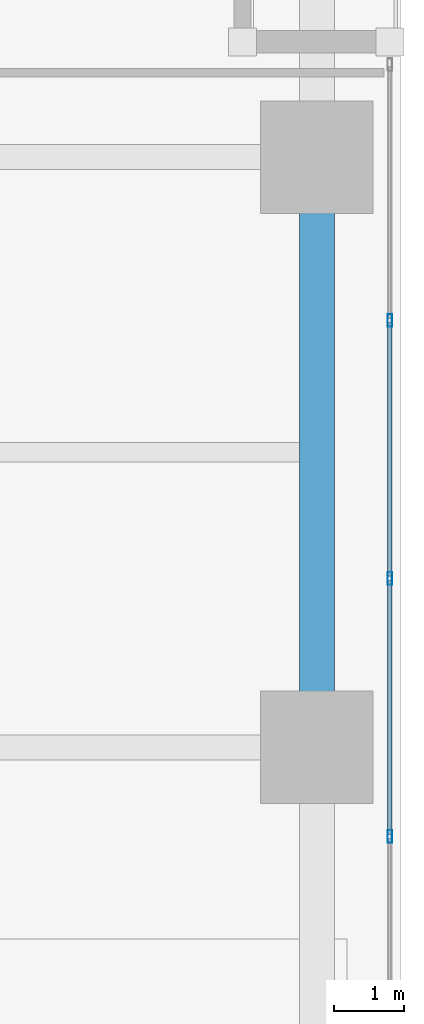
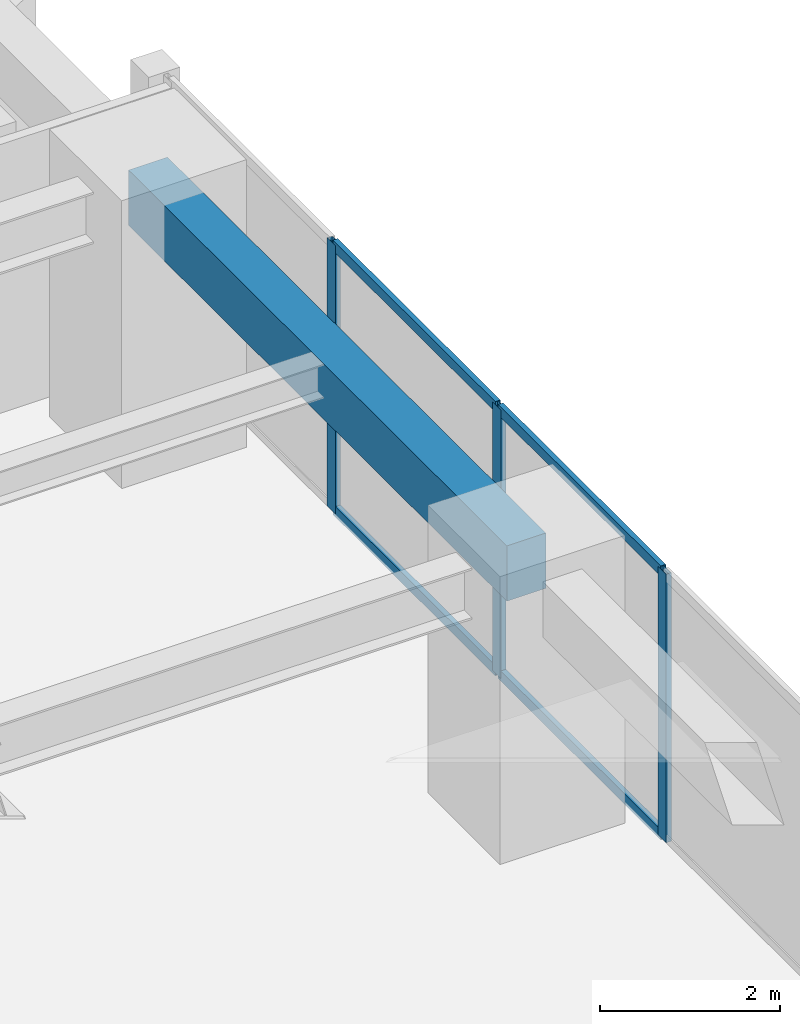
# One storey, part 8 of 28: 7 members, 1 beam, 1 element without a shape of its own.
"""IFC4 building model written with IfcOpenShell, lengths in metres."""

from ifc_helpers import new_model, si_unit, direction, frame, origin, origin_2d, place, context, subcontext, project, spatial, rectangle, hollow_rectangle, extrude, material, layer, layer_set, material_profile, profile_set, type_object, element, aggregate, save


model = new_model("IFC4")

# Units and contexts
model_context = context("Model", 3, precision=1e-05, world=origin(), true_north=direction((0.0, 1.0)))
body_context = subcontext(model_context, "Body", "Model", "MODEL_VIEW")
ifc_project = project(units=[si_unit("LENGTHUNIT", "METRE"), si_unit("AREAUNIT", "SQUARE_METRE"), si_unit("VOLUMEUNIT", "CUBIC_METRE"), si_unit("PLANEANGLEUNIT", "RADIAN"), si_unit("MASSUNIT", "GRAM", prefix="KILO")], contexts=[model_context])

# Site, building, storey
site_placement = place(None, origin())
site = spatial("IfcSite", under=ifc_project, at=site_placement, CompositionType="ELEMENT")
building_placement = place(site_placement, origin())
building = spatial("IfcBuilding", under=site, at=building_placement, Name="Kiyonajd Concourse Tower", CompositionType="ELEMENT")
storey_placement = place(building_placement, frame((0.0, 0.0, 33.300048828125)))
storey = spatial("IfcBuildingStorey", under=building, at=storey_placement, Name="L09", CompositionType="ELEMENT", Elevation=33.300048828125)

# Beam
ifc_material_1 = material(Name="Precast concrete C50/60", Category="concrete")
ifc_material_profile_1 = material_profile(ifc_material_1, rectangle(XDim=0.5, YDim=0.75, at=origin_2d()), Name="RCBM-500x750")
ifc_profile_set_1 = profile_set([ifc_material_profile_1], Name="Precast concrete C50/60")
beam_type = type_object("IfcBeamType", Name="BM-SPAN-RC", PredefinedType="SPANDREL", material=ifc_profile_set_1)
beam_placement = place(storey_placement, frame((78.0, 27.60009765625, 3.264892578125), z_axis=(0.0, 1.0, 0.0), x_axis=(-1.0, 0.0, 0.0)))
element("IfcBeam", 1, at=beam_placement, inside=storey, type_object=beam_type, Name="L09 Perimeter Bundled Tube Spandrel", PredefinedType="SPANDREL", context=body_context, shape_type="SweptSolid", body=[
    extrude(rectangle(XDim=0.5, YDim=0.75, at=origin_2d()), origin(), (0.0, 0.0, 1.0), 8.39990234375),
])

# Curtain wall, members
ifc_material_2 = material(Name="Thermally Broken Anodised Aluminium", Category="aluminium")
ifc_layer = layer(ifc_material_2, 0.179931640625)
ifc_layer_set = layer_set([ifc_layer], Name="Thermally Broken Anodised Aluminium")
curtain_wall_type = type_object("IfcCurtainWallType", Name="CW-SYS-02", PredefinedType="NOTDEFINED", material=ifc_layer_set)
curtain_wall_placement = place(storey_placement, origin())
curtain_wall = element("IfcCurtainWall", 2, at=curtain_wall_placement, inside=storey, type_object=curtain_wall_type, Name="L09 Unitised Curtain Wall CW2", PredefinedType="NOTDEFINED")
ifc_material_profile_2 = material_profile(ifc_material_2, hollow_rectangle(XDim=0.06494140625, YDim=0.179931640625, WallThickness=0.00390625, at=origin_2d()), Name="MULL-65x180")
ifc_profile_set_2 = profile_set([ifc_material_profile_2], Name="Thermally Broken Anodised Aluminium")
member_type_1 = type_object("IfcMemberType", Name="MB-CW-MULL1", PredefinedType="MULLION", material=ifc_profile_set_2)
member_1_placement = place(storey_placement, frame((79.0400390625, 33.6767578125, 0.0), z_axis=(0.0, 0.0, 1.0), x_axis=(1.0, 0.0, 0.0)))
member_1 = element("IfcMember", 3, at=member_1_placement, type_object=member_type_1, Name="CW2 mullion 2", PredefinedType="MULLION", context=body_context, shape_type="SweptSolid", body=[
    extrude(hollow_rectangle(XDim=0.06494140625, YDim=0.179931640625, WallThickness=0.00390625, at=origin_2d()), origin(), (0.0, 0.0, 1.0), 3.639892578125),
])
member_2_placement = place(storey_placement, frame((79.0400390625, 30.003662109375, 0.0), z_axis=(0.0, 0.0, 1.0), x_axis=(1.0, 0.0, 0.0)))
member_2 = element("IfcMember", 4, at=member_2_placement, type_object=member_type_1, Name="CW2 mullion 3", PredefinedType="MULLION", context=body_context, shape_type="SweptSolid", body=[
    extrude(hollow_rectangle(XDim=0.06494140625, YDim=0.179931640625, WallThickness=0.00390625, at=origin_2d()), origin(), (0.0, 0.0, 1.0), 3.639892578125),
])
member_3_placement = place(storey_placement, frame((79.0400390625, 26.33056640625, 0.0), z_axis=(0.0, 0.0, 1.0), x_axis=(1.0, 0.0, 0.0)))
member_3 = element("IfcMember", 5, at=member_3_placement, type_object=member_type_1, Name="CW2 mullion 4", PredefinedType="MULLION", context=body_context, shape_type="SweptSolid", body=[
    extrude(hollow_rectangle(XDim=0.06494140625, YDim=0.179931640625, WallThickness=0.00390625, at=origin_2d()), origin(), (0.0, 0.0, 1.0), 3.639892578125),
])
ifc_material_profile_3 = material_profile(ifc_material_2, hollow_rectangle(XDim=0.06494140625, YDim=0.139892578125, WallThickness=0.00390625, at=origin_2d()), Name="TRAN-65x140")
ifc_profile_set_3 = profile_set([ifc_material_profile_3], Name="Thermally Broken Anodised Aluminium")
member_type_2 = type_object("IfcMemberType", Name="MB-CW-TRAN1", PredefinedType="USERDEFINED", material=ifc_profile_set_3)
member_4_placement = place(storey_placement, frame((79.0400390625, 33.644287109375, 0.032470703125), z_axis=(0.0, -1.0, 0.0), x_axis=(1.0, 0.0, 0.0)))
member_4 = element("IfcMember", 6, at=member_4_placement, type_object=member_type_2, Name="CW2 transom 2.1", ObjectType="TRANSOM", PredefinedType="USERDEFINED", context=body_context, shape_type="SweptSolid", body=[
    extrude(hollow_rectangle(XDim=0.06494140625, YDim=0.139892578125, WallThickness=0.00390625, at=origin_2d()), origin(), (0.0, 0.0, 1.0), 3.608154296875),
])
member_5_placement = place(storey_placement, frame((79.0400390625, 33.644287109375, 3.607421875), z_axis=(0.0, -1.0, 0.0), x_axis=(1.0, 0.0, 0.0)))
member_5 = element("IfcMember", 7, at=member_5_placement, type_object=member_type_2, Name="CW2 transom 2.2", ObjectType="TRANSOM", PredefinedType="USERDEFINED", context=body_context, shape_type="SweptSolid", body=[
    extrude(hollow_rectangle(XDim=0.06494140625, YDim=0.139892578125, WallThickness=0.00390625, at=origin_2d()), origin(), (0.0, 0.0, 1.0), 3.608154296875),
])
member_6_placement = place(storey_placement, frame((79.0400390625, 29.97119140625, 0.032470703125), z_axis=(0.0, -1.0, 0.0), x_axis=(1.0, 0.0, 0.0)))
member_6 = element("IfcMember", 8, at=member_6_placement, type_object=member_type_2, Name="CW2 transom 3.1", ObjectType="TRANSOM", PredefinedType="USERDEFINED", context=body_context, shape_type="SweptSolid", body=[
    extrude(hollow_rectangle(XDim=0.06494140625, YDim=0.139892578125, WallThickness=0.00390625, at=origin_2d()), origin(), (0.0, 0.0, 1.0), 3.608154296875),
])
member_7_placement = place(storey_placement, frame((79.0400390625, 29.97119140625, 3.607421875), z_axis=(0.0, -1.0, 0.0), x_axis=(1.0, 0.0, 0.0)))
member_7 = element("IfcMember", 9, at=member_7_placement, type_object=member_type_2, Name="CW2 transom 3.2", ObjectType="TRANSOM", PredefinedType="USERDEFINED", context=body_context, shape_type="SweptSolid", body=[
    extrude(hollow_rectangle(XDim=0.06494140625, YDim=0.139892578125, WallThickness=0.00390625, at=origin_2d()), origin(), (0.0, 0.0, 1.0), 3.608154296875),
])
aggregate(curtain_wall, [member_1, member_2, member_3, member_4, member_5, member_6, member_7])

save(model, "model.ifc")
